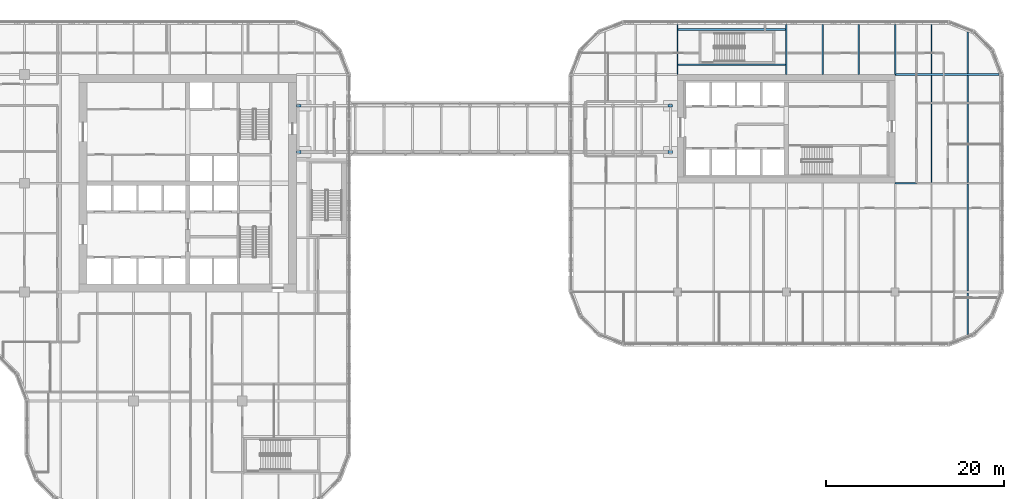
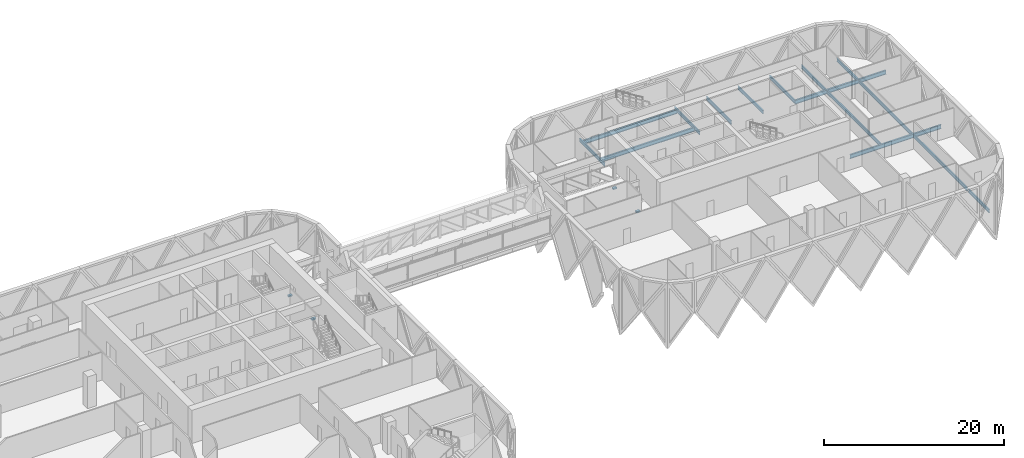
# One storey, part 7 of 30: 15 beams, 4 members.
"""IFC4 building model written with IfcOpenShell, lengths in metres."""

import ifcopenshell
import ifcopenshell.guid

model = None  # the IFC model being written
_history = None  # IfcOwnerHistory: only IFC2X3 demands one
_inside = {}  # id of a spatial element -> (the spatial element, [elements in it])
_under = {}  # id of a project, library or spatial element -> (it, [spatial elements below it])
_declared = {}  # id of a project -> (the project, [libraries it declares])
_typed = {}  # id of a type object -> (the type object, [elements of that type])
_made_of = {}  # id of a material, layer set ... -> (it, [elements and type objects made of it])


def new_model(schema):
    """Start an empty IFC model of exactly this schema.

    Asked for "IFC4X3", IfcOpenShell would pick the latest addendum, in which some entities
    have other attributes; the version numbers below select the first issue.
    IFC2X3 requires an IfcOwnerHistory on every rooted entity: one is made here for all.
    """
    global model, _history
    if schema == "IFC4X3":
        model = ifcopenshell.file(schema_version=(4, 3, 0, 0))
    else:
        model = ifcopenshell.file(schema=schema)
    _inside.clear()
    _under.clear()
    _declared.clear()
    _typed.clear()
    _made_of.clear()
    _history = None
    if model.schema == "IFC2X3":
        org = make("IfcOrganization", Name="unknown")
        user = make(
            "IfcPersonAndOrganization",
            ThePerson=make("IfcPerson", FamilyName="unknown"),
            TheOrganization=org,
        )
        app = make(
            "IfcApplication",
            ApplicationDeveloper=org,
            Version="unknown",
            ApplicationFullName="unknown",
            ApplicationIdentifier="unknown",
        )
        _history = make(
            "IfcOwnerHistory",
            OwningUser=user,
            OwningApplication=app,
            ChangeAction="ADDED",
            CreationDate=0,
        )
    return model


def make(cls, **values):
    """One entity of the class cls with the attributes given. An attribute that is None is left unset."""
    return model.create_entity(
        cls, **{name: value for name, value in values.items() if value is not None}
    )


def rooted(cls, **values):
    """An entity with a GlobalId (a new one), such as an element, a storey or a relation."""
    return make(cls, GlobalId=ifcopenshell.guid.new(), OwnerHistory=_history, **values)


def si_unit(unit_type, name, prefix=None):
    """IfcSIUnit, for example si_unit("LENGTHUNIT", "METRE", prefix="MILLI")."""
    return make("IfcSIUnit", UnitType=unit_type, Prefix=prefix, Name=name)


def assignment(units):
    """IfcUnitAssignment: the units of a project."""
    return None if units is None else make("IfcUnitAssignment", Units=units)


def point(xyz):
    """IfcCartesianPoint."""
    return None if xyz is None else make("IfcCartesianPoint", Coordinates=xyz)


def direction(xyz):
    """IfcDirection."""
    return None if xyz is None else make("IfcDirection", DirectionRatios=xyz)


def frame(location, z_axis=None, x_axis=None):
    """IfcAxis2Placement3D, a coordinate frame: its origin and axes. An axis left out is left unset."""
    return make(
        "IfcAxis2Placement3D",
        Location=point(location),
        Axis=direction(z_axis),
        RefDirection=direction(x_axis),
    )


def frame_2d(location, x_axis=None):
    """IfcAxis2Placement2D, a coordinate frame in the plane: its origin and x axis."""
    return make(
        "IfcAxis2Placement2D", Location=point(location), RefDirection=direction(x_axis)
    )


def origin():
    """The frame at (0, 0, 0) with its axes left unset."""
    return frame((0.0, 0.0, 0.0))


def origin_2d():
    """The frame at (0, 0) in the plane with its x axis left unset."""
    return frame_2d((0.0, 0.0))


def place(relative_to, where):
    """IfcLocalPlacement: puts the frame where relative to a parent placement (None: the world)."""
    return make(
        "IfcLocalPlacement", PlacementRelTo=relative_to, RelativePlacement=where
    )


def context(
    kind, dimensions, precision=None, world=None, true_north=None, identifier=None
):
    """IfcGeometricRepresentationContext, for example the 3D "Model" context."""
    return make(
        "IfcGeometricRepresentationContext",
        ContextIdentifier=identifier,
        ContextType=kind,
        CoordinateSpaceDimension=dimensions,
        Precision=precision,
        WorldCoordinateSystem=world,
        TrueNorth=true_north,
    )


def subcontext(parent, identifier, kind, view, scale=None):
    """IfcGeometricRepresentationSubContext, for example "Body" below "Model"."""
    return make(
        "IfcGeometricRepresentationSubContext",
        ContextIdentifier=identifier,
        ContextType=kind,
        ParentContext=parent,
        TargetScale=scale,
        TargetView=view,
    )


def project(units=None, contexts=None):
    """IfcProject with its units and contexts."""
    return rooted(
        "IfcProject",
        Name="project",
        RepresentationContexts=contexts,
        UnitsInContext=assignment(units),
    )


def spatial(cls, under=None, at=None, **own):
    """A site, building, storey or space (cls), placed at a placement, below another one or the project."""
    s = rooted(cls, ObjectPlacement=at, **own)
    if under is not None:
        _under.setdefault(under.id(), (under, []))[1].append(s)
    return s


def profile(cls, at=None, kind="AREA", **sizes):
    """A parametric profile (cls). Its sizes go by their IFC names, for example OverallWidth=200.0."""
    return make(cls, ProfileType=kind, Position=at, **sizes)


def rectangle(**sizes):
    """IfcRectangleProfileDef."""
    return profile("IfcRectangleProfileDef", **sizes)


def i_section(**sizes):
    """IfcIShapeProfileDef."""
    return profile("IfcIShapeProfileDef", **sizes)


def extrude(swept, where, along, depth):
    """IfcExtrudedAreaSolid: the profile swept, set in the frame where, extruded along a direction by depth."""
    return make(
        "IfcExtrudedAreaSolid",
        SweptArea=swept,
        Position=where,
        ExtrudedDirection=direction(along),
        Depth=depth,
    )


def shape(context_of_items, identifier, shape_type, items):
    """IfcShapeRepresentation: the items that make up one representation, for example the "Body"."""
    return make(
        "IfcShapeRepresentation",
        ContextOfItems=context_of_items,
        RepresentationIdentifier=identifier,
        RepresentationType=shape_type,
        Items=items,
    )


def material(Name=None, Category=None):
    """IfcMaterial."""
    return make("IfcMaterial", Name=Name, Category=Category)


def layer(
    of_material, thickness, ventilated=None, Name=None, Category=None, Priority=None
):
    """IfcMaterialLayer: one layer of a wall or slab, of a material (None: an air gap)."""
    return make(
        "IfcMaterialLayer",
        Material=of_material,
        LayerThickness=thickness,
        IsVentilated=ventilated,
        Name=Name,
        Category=Category,
        Priority=Priority,
    )


def layer_set(layers, Name=None):
    """IfcMaterialLayerSet."""
    return make("IfcMaterialLayerSet", MaterialLayers=layers, LayerSetName=Name)


def material_profile(
    of_material, cross_section, Name=None, Category=None, Priority=None
):
    """IfcMaterialProfile: a cross section and its material."""
    return make(
        "IfcMaterialProfile",
        Name=Name,
        Material=of_material,
        Profile=cross_section,
        Priority=Priority,
        Category=Category,
    )


def profile_set(profiles, Name=None, composite=None):
    """IfcMaterialProfileSet."""
    return make(
        "IfcMaterialProfileSet",
        Name=Name,
        MaterialProfiles=profiles,
        CompositeProfile=composite,
    )


def made_of(thing, what):
    """Note that an element or type object is made of a material, layer set ...; save() writes the relation."""
    if what is not None:
        _made_of.setdefault(what.id(), (what, []))[1].append(thing)
    return thing


def type_object(cls, material=None, **own):
    """A type object (cls), such as IfcWallType, which elements share."""
    return made_of(rooted(cls, **own), material)


def element(
    cls,
    number,
    at=None,
    inside=None,
    cuts=None,
    type_object=None,
    material=None,
    context=None,
    identifier="Body",
    shape_type=None,
    held_by="IfcProductDefinitionShape",
    body=None,
    shapes=None,
    **own,
):
    """One element of the class cls, such as IfcWall. Its Tag is "e" and its number.

    at: its placement. inside: the storey or other place that contains it. cuts: it is an
    opening in that element (IfcRelVoidsElement). A single representation is given by context,
    identifier, shape_type and body (its items); several are given by shapes. held_by: the class
    of the entity that holds the representations. save() writes the other relations.
    """
    e = rooted(cls, Tag="e%d" % number, ObjectPlacement=at, **own)
    if body is not None:
        shapes = [shape(context, identifier, shape_type, body)]
    if shapes is not None:
        e.Representation = make(held_by, Representations=shapes)
    if inside is not None:
        _inside.setdefault(inside.id(), (inside, []))[1].append(e)
    if cuts is not None:
        rooted(
            "IfcRelVoidsElement", RelatingBuildingElement=cuts, RelatedOpeningElement=e
        )
    if type_object is not None:
        _typed.setdefault(type_object.id(), (type_object, []))[1].append(e)
    return made_of(e, material)


def aggregate(whole, parts):
    """IfcRelAggregates: a whole, such as a stair, and the parts it consists of."""
    return rooted("IfcRelAggregates", RelatingObject=whole, RelatedObjects=parts)


def save(model, path):
    """Write the relations noted so far, then the file.

    IfcRelAggregates (storeys below a building ...), IfcRelContainedInSpatialStructure (elements
    in a storey), IfcRelDefinesByType, IfcRelAssociatesMaterial and IfcRelDeclares: one each for
    every whole, place, type object, material and project.
    """
    for whole, parts in _under.values():
        aggregate(whole, parts)
    for where, things in _inside.values():
        rooted(
            "IfcRelContainedInSpatialStructure",
            RelatedElements=things,
            RelatingStructure=where,
        )
    for kind, things in _typed.values():
        rooted("IfcRelDefinesByType", RelatedObjects=things, RelatingType=kind)
    for what, things in _made_of.values():
        rooted("IfcRelAssociatesMaterial", RelatedObjects=things, RelatingMaterial=what)
    for by, libraries in _declared.values():
        rooted("IfcRelDeclares", RelatingContext=by, RelatedDefinitions=libraries)
    model.write(path)


model = new_model("IFC4")

# Units and contexts
model_context = context("Model", 3, precision=1e-05, world=origin(), true_north=direction((0.0, 1.0)))
body_context = subcontext(model_context, "Body", "Model", "MODEL_VIEW")
ifc_project = project(units=[si_unit("LENGTHUNIT", "METRE"), si_unit("AREAUNIT", "SQUARE_METRE"), si_unit("VOLUMEUNIT", "CUBIC_METRE"), si_unit("PLANEANGLEUNIT", "RADIAN"), si_unit("MASSUNIT", "GRAM", prefix="KILO")], contexts=[model_context])

# Site, building, storey
site_placement = place(None, origin())
site = spatial("IfcSite", under=ifc_project, at=site_placement, CompositionType="ELEMENT")
building_placement = place(site_placement, origin())
building = spatial("IfcBuilding", under=site, at=building_placement, Name="Tessera Gate Towers", CompositionType="ELEMENT")
storey_placement = place(building_placement, frame((0.0, 0.0, 21.300048828125)))
storey = spatial("IfcBuildingStorey", under=building, at=storey_placement, Name="L04", CompositionType="ELEMENT", Elevation=21.300048828125)

# Members
ifc_material_1 = material(Name="Steel 350W", Category="steel")
ifc_layer_1 = layer(ifc_material_1, 0.199951171875)
ifc_layer_set_1 = layer_set([ifc_layer_1], Name="BRIDGE PINNED BEARING")
member_type_1 = type_object("IfcMemberType", Name="BRIDGE PINNED BEARING", PredefinedType="USERDEFINED", material=ifc_layer_set_1)
for number, where, z_axis, x_axis, name in (
    (1, (55.14990234375, 40.10009765625, -1.28515625), (0.0, 0.0, 1.0), (1.0, 0.0, 0.0), "Fixed bearing BR1 Tessera Tower end 1"),
    (2, (55.14990234375, 45.300048828125, -1.28515625), (0.0, 0.0, 1.0), (1.0, 0.0, 0.0), "Fixed bearing BR1 Tessera Tower end 2"),
):
    element("IfcMember", number, at=place(storey_placement, frame(where, z_axis=z_axis, x_axis=x_axis)), inside=storey, type_object=member_type_1, Name=name, ObjectType="BEARING", PredefinedType="USERDEFINED", context=body_context, shape_type="SweptSolid", body=[
        extrude(rectangle(XDim=0.5, YDim=0.300048828125, at=origin_2d()), origin(), (0.0, 0.0, 1.0), 0.199951171875),
    ])
ifc_material_2 = material(Name="Steel 350W", Category="steel")
ifc_layer_2 = layer(ifc_material_2, 0.199951171875)
ifc_layer_set_2 = layer_set([ifc_layer_2], Name="BRIDGE SLIDING BEARING")
member_type_2 = type_object("IfcMemberType", Name="BRIDGE SLIDING BEARING", PredefinedType="USERDEFINED", material=ifc_layer_set_2)
for number, where, z_axis, x_axis, name in (
    (3, (96.800048828125, 40.10009765625, -1.28515625), (0.0, 0.0, 1.0), (1.0, 0.0, 0.0), "Sliding bearing BR1 Gate Tower end 1"),
    (4, (96.800048828125, 45.300048828125, -1.28515625), (0.0, 0.0, 1.0), (1.0, 0.0, 0.0), "Sliding bearing BR1 Gate Tower end 2"),
):
    element("IfcMember", number, at=place(storey_placement, frame(where, z_axis=z_axis, x_axis=x_axis)), inside=storey, type_object=member_type_2, Name=name, ObjectType="BEARING", PredefinedType="USERDEFINED", context=body_context, shape_type="SweptSolid", body=[
        extrude(rectangle(XDim=0.5, YDim=0.300048828125, at=origin_2d()), origin(), (0.0, 0.0, 1.0), 0.199951171875),
    ])

# Beams
ifc_material_3 = material(Name="Steel 350W", Category="steel")
ifc_material_profile_1 = material_profile(ifc_material_3, i_section(OverallWidth=0.208984375, OverallDepth=0.532958984375, WebThickness=0.01025390625, FlangeThickness=0.015625, at=origin_2d()), Name="W530x92")
ifc_profile_set_1 = profile_set([ifc_material_profile_1], Name="Steel 350W")
beam_type_1 = type_object("IfcBeamType", Name="FLOOR GIRDER W530x92", PredefinedType="BEAM", material=ifc_profile_set_1)
beam_1_placement = place(storey_placement, frame((122.0009765625, 36.60009765625, -0.466552734375), z_axis=(1.0, 0.0, 0.0), x_axis=(0.0, 1.0, 0.0)))
element("IfcBeam", 5, at=beam_1_placement, inside=storey, type_object=beam_type_1, Name="T2-GD-L04-875", PredefinedType="BEAM", context=body_context, shape_type="SweptSolid", body=[
    extrude(i_section(OverallWidth=0.208984375, OverallDepth=0.532958984375, WebThickness=0.01025390625, FlangeThickness=0.015625, at=origin_2d()), origin(), (0.0, 0.0, 1.0), 11.699951171875),
])
beam_2_placement = place(storey_placement, frame((122.0009765625, 48.800048828125, -0.466552734375), z_axis=(1.0, 0.0, 0.0), x_axis=(0.0, 1.0, 0.0)))
element("IfcBeam", 6, at=beam_2_placement, inside=storey, type_object=beam_type_1, Name="T2-GD-L04-877", PredefinedType="BEAM", context=body_context, shape_type="SweptSolid", body=[
    extrude(i_section(OverallWidth=0.208984375, OverallDepth=0.532958984375, WebThickness=0.01025390625, FlangeThickness=0.015625, at=origin_2d()), origin(), (0.0, 0.0, 1.0), 11.664306640625),
])
for number, where, z_axis, x_axis, name in (
    (7, (97.676513671875, 49.8798828125, -0.466552734375), (1.0, 0.0, 0.0), (0.0, 1.0, 0.0), "T2-GD-L04-884"),
    (8, (97.676513671875, 53.820068359375, -0.466552734375), (1.0, 0.0, 0.0), (0.0, 1.0, 0.0), "T2-GD-L04-885"),
):
    element("IfcBeam", number, at=place(storey_placement, frame(where, z_axis=z_axis, x_axis=x_axis)), inside=storey, type_object=beam_type_1, Name=name, PredefinedType="BEAM", context=body_context, shape_type="SweptSolid", body=[
        extrude(i_section(OverallWidth=0.208984375, OverallDepth=0.532958984375, WebThickness=0.01025390625, FlangeThickness=0.015625, at=origin_2d()), origin(), (0.0, 0.0, 1.0), 12.046875),
    ])
ifc_material_4 = material(Name="Steel 350W", Category="steel")
ifc_material_profile_2 = material_profile(ifc_material_4, i_section(OverallWidth=0.153076171875, OverallDepth=0.455078125, WebThickness=0.008056640625, FlangeThickness=0.01318359375, at=origin_2d()), Name="W460x60")
ifc_profile_set_2 = profile_set([ifc_material_profile_2], Name="Steel 350W")
beam_type_2 = type_object("IfcBeamType", Name="FLOOR SECONDARY W460x60", PredefinedType="BEAM", material=ifc_profile_set_2)
for number, where, z_axis, x_axis, name in (
    (9, (97.60009765625, 48.800048828125, -0.427490234375), (0.0, 1.0, 0.0), (-1.0, 0.0, 0.0), "T2-BM-L04-896"),
    (10, (109.800048828125, 48.800048828125, -0.427490234375), (0.0, 1.0, 0.0), (-1.0, 0.0, 0.0), "T2-BM-L04-901"),
    (11, (113.86669921875, 48.800048828125, -0.427490234375), (0.0, 1.0, 0.0), (-1.0, 0.0, 0.0), "T2-BM-L04-904"),
    (12, (117.933349609375, 48.800048828125, -0.427490234375), (0.0, 1.0, 0.0), (-1.0, 0.0, 0.0), "T2-BM-L04-907"),
    (13, (122.0, 48.800048828125, -0.427490234375), (0.0, 1.0, 0.0), (-1.0, 0.0, 0.0), "T2-BM-L04-908"),
):
    element("IfcBeam", number, at=place(storey_placement, frame(where, z_axis=z_axis, x_axis=x_axis)), inside=storey, type_object=beam_type_2, Name=name, PredefinedType="BEAM", context=body_context, shape_type="SweptSolid", body=[
        extrude(i_section(OverallWidth=0.153076171875, OverallDepth=0.455078125, WebThickness=0.008056640625, FlangeThickness=0.01318359375, at=origin_2d()), origin(), (0.0, 0.0, 1.0), 5.599853515625),
    ])
beam_3_placement = place(storey_placement, frame((126.066650390625, 36.70458984375, -0.427490234375), z_axis=(0.0, 1.0, 0.0), x_axis=(-1.0, 0.0, 0.0)))
element("IfcBeam", 14, at=beam_3_placement, inside=storey, type_object=beam_type_2, Name="T2-BM-L04-911", PredefinedType="BEAM", context=body_context, shape_type="SweptSolid", body=[
    extrude(i_section(OverallWidth=0.153076171875, OverallDepth=0.455078125, WebThickness=0.008056640625, FlangeThickness=0.01318359375, at=origin_2d()), origin(), (0.0, 0.0, 1.0), 11.990966796875),
])
beam_4_placement = place(storey_placement, frame((126.066650390625, 48.904541015625, -0.427490234375), z_axis=(0.0, 1.0, 0.0), x_axis=(-1.0, 0.0, 0.0)))
element("IfcBeam", 15, at=beam_4_placement, inside=storey, type_object=beam_type_2, Name="T2-BM-L04-912", PredefinedType="BEAM", context=body_context, shape_type="SweptSolid", body=[
    extrude(i_section(OverallWidth=0.153076171875, OverallDepth=0.455078125, WebThickness=0.008056640625, FlangeThickness=0.01318359375, at=origin_2d()), origin(), (0.0, 0.0, 1.0), 5.495361328125),
])
beam_5_placement = place(storey_placement, frame((130.13330078125, 19.620361328125, -0.427490234375), z_axis=(0.0, 1.0, 0.0), x_axis=(-1.0, 0.0, 0.0)))
element("IfcBeam", 16, at=beam_5_placement, inside=storey, type_object=beam_type_2, Name="T2-BM-L04-913", PredefinedType="BEAM", context=body_context, shape_type="SweptSolid", body=[
    extrude(i_section(OverallWidth=0.153076171875, OverallDepth=0.455078125, WebThickness=0.008056640625, FlangeThickness=0.01318359375, at=origin_2d()), origin(), (0.0, 0.0, 1.0), 4.675048828125),
])
beam_6_placement = place(storey_placement, frame((130.13330078125, 24.50439453125, -0.427490234375), z_axis=(0.0, 1.0, 0.0), x_axis=(-1.0, 0.0, 0.0)))
element("IfcBeam", 17, at=beam_6_placement, inside=storey, type_object=beam_type_2, Name="T2-BM-L04-914", PredefinedType="BEAM", context=body_context, shape_type="SweptSolid", body=[
    extrude(i_section(OverallWidth=0.153076171875, OverallDepth=0.455078125, WebThickness=0.008056640625, FlangeThickness=0.01318359375, at=origin_2d()), origin(), (0.0, 0.0, 1.0), 11.9912109375),
])
beam_7_placement = place(storey_placement, frame((130.13330078125, 36.70458984375, -0.427490234375), z_axis=(0.0, 1.0, 0.0), x_axis=(-1.0, 0.0, 0.0)))
element("IfcBeam", 18, at=beam_7_placement, inside=storey, type_object=beam_type_2, Name="T2-BM-L04-915", PredefinedType="BEAM", context=body_context, shape_type="SweptSolid", body=[
    extrude(i_section(OverallWidth=0.153076171875, OverallDepth=0.455078125, WebThickness=0.008056640625, FlangeThickness=0.01318359375, at=origin_2d()), origin(), (0.0, 0.0, 1.0), 11.990966796875),
])
beam_8_placement = place(storey_placement, frame((130.13330078125, 48.904541015625, -0.427490234375), z_axis=(0.0, 1.0, 0.0), x_axis=(-1.0, 0.0, 0.0)))
element("IfcBeam", 19, at=beam_8_placement, inside=storey, type_object=beam_type_2, Name="T2-BM-L04-916", PredefinedType="BEAM", context=body_context, shape_type="SweptSolid", body=[
    extrude(i_section(OverallWidth=0.153076171875, OverallDepth=0.455078125, WebThickness=0.008056640625, FlangeThickness=0.01318359375, at=origin_2d()), origin(), (0.0, 0.0, 1.0), 4.675048828125),
])

save(model, "model.ifc")
